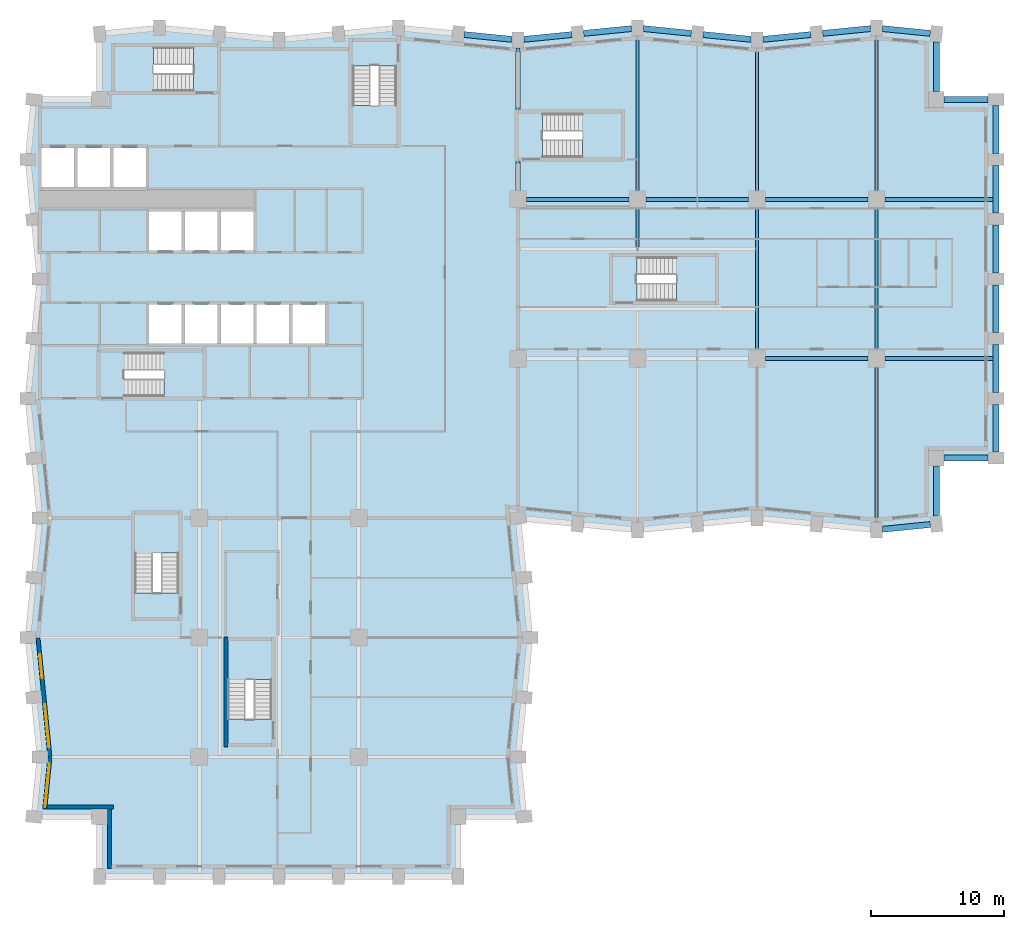
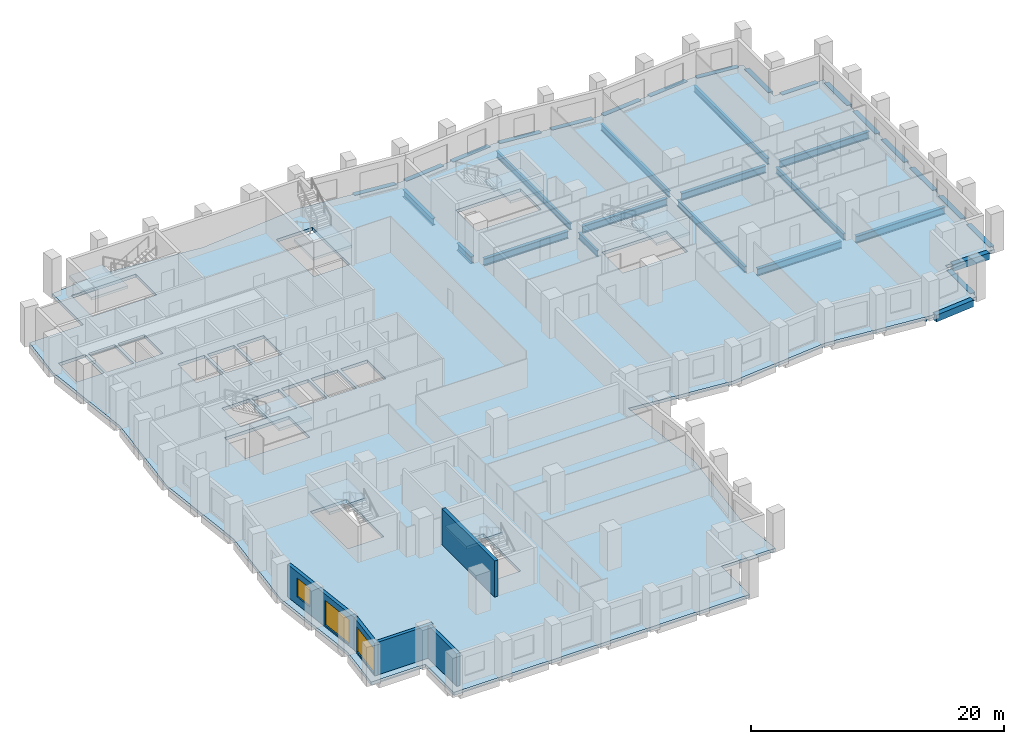
# One storey, part 2 of 11: 34 beams, 8 slabs, 5 walls, 3 windows, 3 openings, 7 elements without a shape of their own.
"""IFC4 building model written with IfcOpenShell, lengths in metres."""

from ifc_helpers import new_model, si_unit, direction, frame, frame_2d, origin, origin_2d, place, context, subcontext, project, spatial, polyline, rectangle, i_section, outline, extrude, material, layer, layer_set, material_profile, profile_set, type_object, element, fill, aggregate, save


model = new_model("IFC4")

# Units and contexts
model_context = context("Model", 3, precision=1e-05, world=origin(), true_north=direction((0.0, 1.0)))
body_context = subcontext(model_context, "Body", "Model", "MODEL_VIEW")
ifc_project = project(units=[si_unit("LENGTHUNIT", "METRE"), si_unit("AREAUNIT", "SQUARE_METRE"), si_unit("VOLUMEUNIT", "CUBIC_METRE"), si_unit("PLANEANGLEUNIT", "RADIAN"), si_unit("MASSUNIT", "GRAM", prefix="KILO")], contexts=[model_context])

# Site, building, storey
site_placement = place(None, origin())
site = spatial("IfcSite", under=ifc_project, at=site_placement, CompositionType="ELEMENT")
building_placement = place(site_placement, origin())
building = spatial("IfcBuilding", under=site, at=building_placement, Name="Brondeck Convention Tower", CompositionType="ELEMENT")
storey_placement = place(building_placement, frame((0.0, 0.0, 122.699951171875)))
storey = spatial("IfcBuildingStorey", under=building, at=storey_placement, Name="L29", CompositionType="ELEMENT", Elevation=122.699951171875)

# Beams
ifc_material_1 = material(Name="Steel S355", Category="steel")
ifc_material_profile_1 = material_profile(ifc_material_1, i_section(OverallWidth=0.219970703125, OverallDepth=0.60009765625, WebThickness=0.011962890625, FlangeThickness=0.01904296875, FilletRadius=0.02392578125, at=origin_2d()), Name="IPE 600")
ifc_profile_set_1 = profile_set([ifc_material_profile_1], Name="Steel S355")
beam_type_1 = type_object("IfcBeamType", Name="Floor beam IPE 600", PredefinedType="BEAM", material=ifc_profile_set_1)
beam_1_placement = place(storey_placement, frame((45.0, 51.64990234375, -0.599853515625), z_axis=(0.0, 1.0, 0.0), x_axis=(-1.0, 0.0, 0.0)))
element("IfcBeam", 1, at=beam_1_placement, inside=storey, type_object=beam_type_1, Name="STR-FB-L29-002", PredefinedType="BEAM", context=body_context, shape_type="SweptSolid", body=[
    extrude(i_section(OverallWidth=0.219970703125, OverallDepth=0.60009765625, WebThickness=0.011962890625, FlangeThickness=0.01904296875, FilletRadius=0.02392578125, at=origin_2d()), origin(), (0.0, 0.0, 1.0), 11.650146484375),
])
beam_2_placement = place(storey_placement, frame((54.0, 39.64990234375, -0.599853515625), z_axis=(0.0, 1.0, 0.0), x_axis=(-1.0, 0.0, 0.0)))
element("IfcBeam", 2, at=beam_2_placement, inside=storey, type_object=beam_type_1, Name="STR-FB-L29-004", PredefinedType="BEAM", context=body_context, shape_type="SweptSolid", body=[
    extrude(i_section(OverallWidth=0.219970703125, OverallDepth=0.60009765625, WebThickness=0.011962890625, FlangeThickness=0.01904296875, FilletRadius=0.02392578125, at=origin_2d()), origin(), (0.0, 0.0, 1.0), 10.7001953125),
])
beam_3_placement = place(storey_placement, frame((54.0, 51.64990234375, -0.599853515625), z_axis=(0.0, 1.0, 0.0), x_axis=(-1.0, 0.0, 0.0)))
element("IfcBeam", 3, at=beam_3_placement, inside=storey, type_object=beam_type_1, Name="STR-FB-L29-005", PredefinedType="BEAM", context=body_context, shape_type="SweptSolid", body=[
    extrude(i_section(OverallWidth=0.219970703125, OverallDepth=0.60009765625, WebThickness=0.011962890625, FlangeThickness=0.01904296875, FilletRadius=0.02392578125, at=origin_2d()), origin(), (0.0, 0.0, 1.0), 10.75),
])
beam_4_placement = place(storey_placement, frame((63.0, 26.699951171875, -0.599853515625), z_axis=(0.0, 1.0, 0.0), x_axis=(-1.0, 0.0, 0.0)))
element("IfcBeam", 4, at=beam_4_placement, inside=storey, type_object=beam_type_1, Name="STR-FB-L29-006", PredefinedType="BEAM", context=body_context, shape_type="SweptSolid", body=[
    extrude(i_section(OverallWidth=0.219970703125, OverallDepth=0.60009765625, WebThickness=0.011962890625, FlangeThickness=0.01904296875, FilletRadius=0.02392578125, at=origin_2d()), origin(), (0.0, 0.0, 1.0), 11.650146484375),
])
beam_5_placement = place(storey_placement, frame((63.0, 39.64990234375, -0.599853515625), z_axis=(0.0, 1.0, 0.0), x_axis=(-1.0, 0.0, 0.0)))
element("IfcBeam", 5, at=beam_5_placement, inside=storey, type_object=beam_type_1, Name="STR-FB-L29-007", PredefinedType="BEAM", context=body_context, shape_type="SweptSolid", body=[
    extrude(i_section(OverallWidth=0.219970703125, OverallDepth=0.60009765625, WebThickness=0.011962890625, FlangeThickness=0.01904296875, FilletRadius=0.02392578125, at=origin_2d()), origin(), (0.0, 0.0, 1.0), 10.7001953125),
])
beam_6_placement = place(storey_placement, frame((63.0, 51.64990234375, -0.599853515625), z_axis=(0.0, 1.0, 0.0), x_axis=(-1.0, 0.0, 0.0)))
element("IfcBeam", 6, at=beam_6_placement, inside=storey, type_object=beam_type_1, Name="STR-FB-L29-008", PredefinedType="BEAM", context=body_context, shape_type="SweptSolid", body=[
    extrude(i_section(OverallWidth=0.219970703125, OverallDepth=0.60009765625, WebThickness=0.011962890625, FlangeThickness=0.01904296875, FilletRadius=0.02392578125, at=origin_2d()), origin(), (0.0, 0.0, 1.0), 11.650146484375),
])
beam_7_placement = place(storey_placement, frame((45.0, 47.39990234375, -0.599853515625), z_axis=(0.0, 1.0, 0.0), x_axis=(-1.0, 0.0, 0.0)))
element("IfcBeam", 7, at=beam_7_placement, inside=storey, type_object=beam_type_1, Name="STR-FB-L29-015", PredefinedType="BEAM", context=body_context, shape_type="SweptSolid", body=[
    extrude(i_section(OverallWidth=0.219970703125, OverallDepth=0.60009765625, WebThickness=0.011962890625, FlangeThickness=0.01904296875, FilletRadius=0.02392578125, at=origin_2d()), origin(), (0.0, 0.0, 1.0), 2.9501953125),
])
ifc_material_profile_2 = material_profile(ifc_material_1, i_section(OverallWidth=0.300048828125, OverallDepth=0.699951171875, WebThickness=0.01708984375, FlangeThickness=0.031982421875, FilletRadius=0.027099609375, at=origin_2d()), Name="HEB 700")
ifc_profile_set_2 = profile_set([ifc_material_profile_2], Name="Steel S355")
beam_type_2 = type_object("IfcBeamType", Name="Girder HEB 700", PredefinedType="BEAM", material=ifc_profile_set_2)
beam_8_placement = place(storey_placement, frame((54.64990234375, 39.0, -0.64990234375), z_axis=(1.0, 0.0, 0.0), x_axis=(0.0, 1.0, 0.0)))
element("IfcBeam", 8, at=beam_8_placement, inside=storey, type_object=beam_type_2, Name="STR-GR-L29-003", PredefinedType="BEAM", context=body_context, shape_type="SweptSolid", body=[
    extrude(i_section(OverallWidth=0.300048828125, OverallDepth=0.699951171875, WebThickness=0.01708984375, FlangeThickness=0.031982421875, FilletRadius=0.027099609375, at=origin_2d()), origin(), (0.0, 0.0, 1.0), 7.7001953125),
])
beam_9_placement = place(storey_placement, frame((63.64990234375, 39.0, -0.64990234375), z_axis=(1.0, 0.0, 0.0), x_axis=(0.0, 1.0, 0.0)))
element("IfcBeam", 9, at=beam_9_placement, inside=storey, type_object=beam_type_2, Name="STR-GR-L29-004", PredefinedType="BEAM", context=body_context, shape_type="SweptSolid", body=[
    extrude(i_section(OverallWidth=0.300048828125, OverallDepth=0.699951171875, WebThickness=0.01708984375, FlangeThickness=0.031982421875, FilletRadius=0.027099609375, at=origin_2d()), origin(), (0.0, 0.0, 1.0), 8.125),
])
for number, where, z_axis, x_axis, name in (
    (10, (36.64990234375, 51.0, -0.64990234375), (1.0, 0.0, 0.0), (0.0, 1.0, 0.0), "STR-GR-L29-005"),
    (11, (45.64990234375, 51.0, -0.64990234375), (1.0, 0.0, 0.0), (0.0, 1.0, 0.0), "STR-GR-L29-006"),
    (12, (54.64990234375, 51.0, -0.64990234375), (1.0, 0.0, 0.0), (0.0, 1.0, 0.0), "STR-GR-L29-007"),
):
    element("IfcBeam", number, at=place(storey_placement, frame(where, z_axis=z_axis, x_axis=x_axis)), inside=storey, type_object=beam_type_2, Name=name, PredefinedType="BEAM", context=body_context, shape_type="SweptSolid", body=[
        extrude(i_section(OverallWidth=0.300048828125, OverallDepth=0.699951171875, WebThickness=0.01708984375, FlangeThickness=0.031982421875, FilletRadius=0.027099609375, at=origin_2d()), origin(), (0.0, 0.0, 1.0), 7.7001953125),
    ])
beam_10_placement = place(storey_placement, frame((63.64990234375, 51.0, -0.64990234375), z_axis=(1.0, 0.0, 0.0), x_axis=(0.0, 1.0, 0.0)))
element("IfcBeam", 13, at=beam_10_placement, inside=storey, type_object=beam_type_2, Name="STR-GR-L29-008", PredefinedType="BEAM", context=body_context, shape_type="SweptSolid", body=[
    extrude(i_section(OverallWidth=0.300048828125, OverallDepth=0.699951171875, WebThickness=0.01708984375, FlangeThickness=0.031982421875, FilletRadius=0.027099609375, at=origin_2d()), origin(), (0.0, 0.0, 1.0), 8.125),
])
beam_11_placement = place(storey_placement, frame((36.0, 51.64990234375, -0.64990234375), z_axis=(0.0, 1.0, 0.0), x_axis=(-1.0, 0.0, 0.0)))
element("IfcBeam", 14, at=beam_11_placement, inside=storey, type_object=beam_type_2, Name="STR-GR-L29-011", PredefinedType="BEAM", context=body_context, shape_type="SweptSolid", body=[
    extrude(i_section(OverallWidth=0.300048828125, OverallDepth=0.699951171875, WebThickness=0.01708984375, FlangeThickness=0.031982421875, FilletRadius=0.027099609375, at=origin_2d()), origin(), (0.0, 0.0, 1.0), 2.22998046875),
])
beam_12_placement = place(storey_placement, frame((36.0, 57.719970703125, -0.64990234375), z_axis=(0.0, 1.0, 0.0), x_axis=(-1.0, 0.0, 0.0)))
element("IfcBeam", 15, at=beam_12_placement, inside=storey, type_object=beam_type_2, Name="STR-GR-L29-012", PredefinedType="BEAM", context=body_context, shape_type="SweptSolid", body=[
    extrude(i_section(OverallWidth=0.300048828125, OverallDepth=0.699951171875, WebThickness=0.01708984375, FlangeThickness=0.031982421875, FilletRadius=0.027099609375, at=origin_2d()), origin(), (0.0, 0.0, 1.0), 4.679931640625),
])
ifc_material_2 = material(Name="Concrete C70/85", Category="concrete")
ifc_material_profile_3 = material_profile(ifc_material_2, rectangle(XDim=0.449951171875, YDim=0.64990234375, at=origin_2d()), Name="Precast spandrel 450x650 Concrete C70/85")
ifc_profile_set_3 = profile_set([ifc_material_profile_3], Name="Concrete C70/85")
beam_type_3 = type_object("IfcBeamType", Name="Precast spandrel 450x650 Concrete C70/85", PredefinedType="SPANDREL", material=ifc_profile_set_3)
beam_13_placement = place(storey_placement, frame((63.449951171875, 26.14501953125, -0.324951171875), z_axis=(0.995040528141, 0.099470334057, 0.0), x_axis=(-0.099470334057, 0.995040528141, 0.0)))
element("IfcBeam", 16, at=beam_13_placement, inside=storey, type_object=beam_type_3, Name="STR-SP-L29-020", PredefinedType="SPANDREL", context=body_context, shape_type="SweptSolid", body=[
    extrude(rectangle(XDim=0.449951171875, YDim=0.64990234375, at=origin_2d()), origin(), (0.0, 0.0, 1.0), 3.620361328125),
])
beam_14_placement = place(storey_placement, frame((67.5, 27.153076171875, -0.324951171875), z_axis=(0.0, 1.0, 0.0), x_axis=(-1.0, 0.0, 0.0)))
element("IfcBeam", 17, at=beam_14_placement, inside=storey, type_object=beam_type_3, Name="STR-SP-L29-021", PredefinedType="SPANDREL", context=body_context, shape_type="SweptSolid", body=[
    extrude(rectangle(XDim=0.449951171875, YDim=0.64990234375, at=origin_2d()), origin(), (0.0, 0.0, 1.0), 3.746826171875),
])
beam_15_placement = place(storey_placement, frame((68.10009765625, 31.5, -0.324951171875), z_axis=(1.0, 0.0, 0.0), x_axis=(0.0, 1.0, 0.0)))
element("IfcBeam", 18, at=beam_15_placement, inside=storey, type_object=beam_type_3, Name="STR-SP-L29-022", PredefinedType="SPANDREL", context=body_context, shape_type="SweptSolid", body=[
    extrude(rectangle(XDim=0.449951171875, YDim=0.64990234375, at=origin_2d()), origin(), (0.0, 0.0, 1.0), 3.2998046875),
])
for number, where, z_axis, x_axis, name in (
    (19, (72.0, 31.949951171875, -0.324951171875), (0.0, 1.0, 0.0), (-1.0, 0.0, 0.0), "STR-SP-L29-023"),
    (20, (72.0, 36.449951171875, -0.324951171875), (0.0, 1.0, 0.0), (-1.0, 0.0, 0.0), "STR-SP-L29-024"),
    (21, (72.0, 40.949951171875, -0.324951171875), (0.0, 1.0, 0.0), (-1.0, 0.0, 0.0), "STR-SP-L29-025"),
    (22, (72.0, 45.449951171875, -0.324951171875), (0.0, 1.0, 0.0), (-1.0, 0.0, 0.0), "STR-SP-L29-026"),
    (23, (72.0, 49.949951171875, -0.324951171875), (0.0, 1.0, 0.0), (-1.0, 0.0, 0.0), "STR-SP-L29-027"),
    (24, (72.0, 54.449951171875, -0.324951171875), (0.0, 1.0, 0.0), (-1.0, 0.0, 0.0), "STR-SP-L29-028"),
):
    element("IfcBeam", number, at=place(storey_placement, frame(where, z_axis=z_axis, x_axis=x_axis)), inside=storey, type_object=beam_type_3, Name=name, PredefinedType="SPANDREL", context=body_context, shape_type="SweptSolid", body=[
        extrude(rectangle(XDim=0.449951171875, YDim=0.64990234375, at=origin_2d()), origin(), (0.0, 0.0, 1.0), 3.60009765625),
    ])
beam_16_placement = place(storey_placement, frame((71.39990234375, 58.5, -0.324951171875), z_axis=(-1.0, 0.0, 0.0), x_axis=(0.0, -1.0, 0.0)))
element("IfcBeam", 25, at=beam_16_placement, inside=storey, type_object=beam_type_3, Name="STR-SP-L29-029", PredefinedType="SPANDREL", context=body_context, shape_type="SweptSolid", body=[
    extrude(rectangle(XDim=0.449951171875, YDim=0.64990234375, at=origin_2d()), origin(), (0.0, 0.0, 1.0), 3.2998046875),
])
beam_17_placement = place(storey_placement, frame((67.5, 59.10009765625, -0.324951171875), z_axis=(0.0, 1.0, 0.0), x_axis=(-1.0, 0.0, 0.0)))
element("IfcBeam", 26, at=beam_17_placement, inside=storey, type_object=beam_type_3, Name="STR-SP-L29-030", PredefinedType="SPANDREL", context=body_context, shape_type="SweptSolid", body=[
    extrude(rectangle(XDim=0.449951171875, YDim=0.64990234375, at=origin_2d()), origin(), (0.0, 0.0, 1.0), 3.746826171875),
])
for number, where, z_axis, x_axis, name in (
    (27, (67.05224609375, 63.494873046875, -0.324951171875), (-0.995040528141, 0.099470334057, 0.0), (-0.099470334057, -0.995040528141, 0.0), "STR-SP-L29-031"),
    (28, (62.550048828125, 63.85498046875, -0.324951171875), (-0.995040528141, -0.099470334057, 0.0), (0.099470334057, -0.995040528141, 0.0), "STR-SP-L29-032"),
    (29, (58.05224609375, 63.4052734375, -0.324951171875), (-0.995033851182, -0.099537103649, 0.0), (0.099537103649, -0.995033851182, 0.0), "STR-SP-L29-033"),
    (30, (53.550048828125, 63.044921875, -0.324951171875), (-0.995033851182, 0.099537103649, 0.0), (-0.099537103649, -0.995033851182, 0.0), "STR-SP-L29-034"),
    (31, (49.05224609375, 63.494873046875, -0.324951171875), (-0.995040528141, 0.099470334057, 0.0), (-0.099470334057, -0.995040528141, 0.0), "STR-SP-L29-035"),
    (32, (44.550048828125, 63.85498046875, -0.324951171875), (-0.995040528141, -0.099470334057, 0.0), (0.099470334057, -0.995040528141, 0.0), "STR-SP-L29-036"),
    (33, (40.05224609375, 63.4052734375, -0.324951171875), (-0.995033851182, -0.099537103649, 0.0), (0.099537103649, -0.995033851182, 0.0), "STR-SP-L29-037"),
    (34, (35.550048828125, 63.044921875, -0.324951171875), (-0.995033851182, 0.099537103649, 0.0), (-0.099537103649, -0.995033851182, 0.0), "STR-SP-L29-038"),
):
    element("IfcBeam", number, at=place(storey_placement, frame(where, z_axis=z_axis, x_axis=x_axis)), inside=storey, type_object=beam_type_3, Name=name, PredefinedType="SPANDREL", context=body_context, shape_type="SweptSolid", body=[
        extrude(rectangle(XDim=0.449951171875, YDim=0.64990234375, at=origin_2d()), origin(), (0.0, 0.0, 1.0), 3.620361328125),
    ])

# Slab
ifc_material_3 = material(Name="Concrete C35/45", Category="concrete")
ifc_layer_1 = layer(ifc_material_3, 0.300048828125)
ifc_layer_set_1 = layer_set([ifc_layer_1], Name="Composite floor slab 300")
slab_type_1 = type_object("IfcSlabType", Name="Composite floor slab 300", PredefinedType="FLOOR", material=ifc_layer_set_1)
slab_1_placement = place(storey_placement, frame((0.0, 0.0, -0.300048828125)))
element("IfcSlab", 35, at=slab_1_placement, inside=storey, type_object=slab_type_1, Name="STR-SL-L29", PredefinedType="FLOOR", context=body_context, shape_type="SweptSolid", body=[
    extrude(outline(polyline([(4.5, 4.5), (-0.449951171875, 4.5), (0.0, 9.0), (-0.89990234375, 18.0), (0.0, 27.0), (-0.89990234375, 36.0), (0.0, 45.0), (-0.89990234375, 54.0), (-0.449951171875, 58.5), (4.5, 58.5), (4.5, 63.449951171875), (9.0, 63.89990234375), (18.0, 63.0), (27.0, 63.89990234375), (36.0, 63.0), (45.0, 63.89990234375), (54.0, 63.0), (63.0, 63.89990234375), (67.5, 63.449951171875), (67.5, 58.5), (72.0, 58.5), (72.0, 31.5), (67.5, 31.5), (67.5, 26.550048828125), (63.0, 26.10009765625), (54.0, 27.0), (45.0, 26.10009765625), (36.0, 27.0), (36.89990234375, 18.0), (36.0, 9.0), (36.449951171875, 4.5), (31.5, 4.5), (31.5, 0.0), (4.5, 0.0), (4.5, 4.5)]), holes=[polyline([(10.447998046875, 27.248046875), (7.152099609375, 27.248046875), (7.152099609375, 21.35205078125), (10.447998046875, 21.35205078125), (10.447998046875, 27.248046875)]), polyline([(12.248046875, 36.152099609375), (12.248046875, 39.447998046875), (6.35205078125, 39.447998046875), (6.35205078125, 36.152099609375), (12.248046875, 36.152099609375)]), polyline([(10.675048828125, 40.125), (10.675048828125, 43.074951171875), (8.22509765625, 43.074951171875), (8.22509765625, 40.125), (10.675048828125, 40.125)]), polyline([(10.675048828125, 47.125), (10.675048828125, 50.074951171875), (8.22509765625, 50.074951171875), (8.22509765625, 47.125), (10.675048828125, 47.125)]), polyline([(13.375, 47.125), (13.375, 50.074951171875), (10.925048828125, 50.074951171875), (10.925048828125, 47.125), (13.375, 47.125)]), polyline([(2.574951171875, 51.925048828125), (2.574951171875, 54.875), (0.125, 54.875), (0.125, 51.925048828125), (2.574951171875, 51.925048828125)]), polyline([(5.27490234375, 51.925048828125), (5.27490234375, 54.875), (2.824951171875, 54.875), (2.824951171875, 51.925048828125), (5.27490234375, 51.925048828125)]), polyline([(5.52490234375, 51.925048828125), (7.97509765625, 51.925048828125), (7.97509765625, 54.875), (5.52490234375, 54.875), (5.52490234375, 51.925048828125)]), polyline([(11.548095703125, 62.447998046875), (5.652099609375, 62.447998046875), (5.652099609375, 59.152099609375), (11.548095703125, 59.152099609375), (11.548095703125, 62.447998046875)]), polyline([(17.447998046875, 17.748046875), (14.152099609375, 17.748046875), (14.152099609375, 11.85205078125), (17.447998046875, 11.85205078125), (17.447998046875, 17.748046875)]), polyline([(13.375, 40.125), (13.375, 43.074951171875), (10.925048828125, 43.074951171875), (10.925048828125, 40.125), (13.375, 40.125)]), polyline([(16.074951171875, 40.125), (16.074951171875, 43.074951171875), (13.625, 43.074951171875), (13.625, 40.125), (16.074951171875, 40.125)]), polyline([(18.77490234375, 40.125), (18.77490234375, 43.074951171875), (16.324951171875, 43.074951171875), (16.324951171875, 40.125), (18.77490234375, 40.125)]), polyline([(21.47509765625, 40.125), (21.47509765625, 43.074951171875), (19.02490234375, 43.074951171875), (19.02490234375, 40.125), (21.47509765625, 40.125)]), polyline([(50.847900390625, 43.35205078125), (50.847900390625, 46.64794921875), (44.951904296875, 46.64794921875), (44.951904296875, 43.35205078125), (50.847900390625, 43.35205078125)]), polyline([(16.074951171875, 47.125), (16.074951171875, 50.074951171875), (13.625, 50.074951171875), (13.625, 47.125), (16.074951171875, 47.125)]), polyline([(37.85205078125, 54.152099609375), (43.748046875, 54.152099609375), (43.748046875, 57.447998046875), (37.85205078125, 57.447998046875), (37.85205078125, 54.152099609375)]), polyline([(23.552001953125, 61.048095703125), (23.552001953125, 55.152099609375), (26.847900390625, 55.152099609375), (26.847900390625, 61.048095703125), (23.552001953125, 61.048095703125)])]), origin(), (0.0, 0.0, 1.0), 0.300048828125),
])

# Stair, slab
ifc_material_4 = material(Name="Precast concrete C50/60", Category="concrete")
stair_type = type_object("IfcStairType", Name="Core stair 22 risers 172.73 mm riser 300 mm going 1350 wide", PredefinedType="HALF_TURN_STAIR", material=ifc_material_4)
stair_1_placement = place(storey_placement, origin())
stair_1 = element("IfcStair", 36, at=stair_1_placement, inside=storey, type_object=stair_type, Name="ST-1 L29 stair", PredefinedType="HALF_TURN_STAIR")
ifc_layer_2 = layer(ifc_material_4, 0.25)
ifc_layer_set_2 = layer_set([ifc_layer_2], Name="Core stair landing 250 Precast concrete C50/60")
slab_type_2 = type_object("IfcSlabType", Name="Core stair landing 250 Precast concrete C50/60", PredefinedType="LANDING", material=ifc_layer_set_2)
slab_2_placement = place(storey_placement, frame((0.0, 0.0, 1.650146484375)))
slab_2 = element("IfcSlab", 37, at=slab_2_placement, type_object=slab_type_2, Name="ST-1 landing 1", PredefinedType="LANDING", context=body_context, shape_type="SweptSolid", body=[
    extrude(outline(polyline([(9.347900390625, 37.5), (9.35009765625, 37.5), (9.35009765625, 38.10009765625), (9.050048828125, 38.10009765625), (9.050048828125, 39.570068359375), (12.3701171875, 39.570068359375), (12.3701171875, 36.030029296875), (9.347900390625, 36.030029296875), (9.347900390625, 37.5)])), origin(), (0.0, 0.0, 1.0), 0.25),
])
aggregate(stair_1, [slab_2])

stair_2_placement = place(storey_placement, origin())
stair_2 = element("IfcStair", 38, at=stair_2_placement, inside=storey, type_object=stair_type, Name="ST-2 L29 stair", PredefinedType="HALF_TURN_STAIR")
slab_3_placement = place(storey_placement, frame((0.0, 0.0, 1.650146484375)))
slab_3 = element("IfcSlab", 39, at=slab_3_placement, type_object=slab_type_2, Name="ST-2 landing 1", PredefinedType="LANDING", context=body_context, shape_type="SweptSolid", body=[
    extrude(outline(polyline([(23.429931640625, 58.052001953125), (24.89990234375, 58.052001953125), (24.89990234375, 58.050048828125), (25.5, 58.050048828125), (25.5, 58.35009765625), (26.969970703125, 58.35009765625), (26.969970703125, 55.030029296875), (23.429931640625, 55.030029296875), (23.429931640625, 58.052001953125)])), origin(), (0.0, 0.0, 1.0), 0.25),
])
aggregate(stair_2, [slab_3])

stair_3_placement = place(storey_placement, origin())
stair_3 = element("IfcStair", 40, at=stair_3_placement, inside=storey, type_object=stair_type, Name="ST-3 L29 stair", PredefinedType="HALF_TURN_STAIR")
slab_4_placement = place(storey_placement, frame((0.0, 0.0, 1.650146484375)))
slab_4 = element("IfcSlab", 41, at=slab_4_placement, type_object=slab_type_2, Name="ST-3 landing 1", PredefinedType="LANDING", context=body_context, shape_type="SweptSolid", body=[
    extrude(outline(polyline([(8.85009765625, 60.5), (8.85009765625, 59.030029296875), (5.530029296875, 59.030029296875), (5.530029296875, 62.570068359375), (8.552001953125, 62.570068359375), (8.552001953125, 61.10009765625), (8.550048828125, 61.10009765625), (8.550048828125, 60.5), (8.85009765625, 60.5)])), origin(), (0.0, 0.0, 1.0), 0.25),
])
aggregate(stair_3, [slab_4])

stair_4_placement = place(storey_placement, origin())
stair_4 = element("IfcStair", 42, at=stair_4_placement, inside=storey, type_object=stair_type, Name="ST-AE L29 stair", PredefinedType="HALF_TURN_STAIR")
slab_5_placement = place(storey_placement, frame((0.0, 0.0, 1.650146484375)))
slab_5 = element("IfcSlab", 43, at=slab_5_placement, type_object=slab_type_2, Name="ST-AE landing 1", PredefinedType="LANDING", context=body_context, shape_type="SweptSolid", body=[
    extrude(outline(polyline([(40.847900390625, 55.5), (40.85009765625, 55.5), (40.85009765625, 56.10009765625), (40.550048828125, 56.10009765625), (40.550048828125, 57.570068359375), (43.8701171875, 57.570068359375), (43.8701171875, 54.030029296875), (40.847900390625, 54.030029296875), (40.847900390625, 55.5)])), origin(), (0.0, 0.0, 1.0), 0.25),
])
aggregate(stair_4, [slab_5])

stair_5_placement = place(storey_placement, origin())
stair_5 = element("IfcStair", 44, at=stair_5_placement, inside=storey, type_object=stair_type, Name="ST-BE L29 stair", PredefinedType="HALF_TURN_STAIR")
slab_6_placement = place(storey_placement, frame((0.0, 0.0, 1.650146484375)))
slab_6 = element("IfcSlab", 45, at=slab_6_placement, type_object=slab_type_2, Name="ST-BE landing 1", PredefinedType="LANDING", context=body_context, shape_type="SweptSolid", body=[
    extrude(outline(polyline([(7.030029296875, 24.050048828125), (7.030029296875, 27.3701171875), (10.570068359375, 27.3701171875), (10.570068359375, 24.347900390625), (9.10009765625, 24.347900390625), (9.10009765625, 24.35009765625), (8.5, 24.35009765625), (8.5, 24.050048828125), (7.030029296875, 24.050048828125)])), origin(), (0.0, 0.0, 1.0), 0.25),
])
aggregate(stair_5, [slab_6])

stair_6_placement = place(storey_placement, origin())
stair_6 = element("IfcStair", 46, at=stair_6_placement, inside=storey, type_object=stair_type, Name="ST-AF L29 stair", PredefinedType="HALF_TURN_STAIR")
slab_7_placement = place(storey_placement, frame((0.0, 0.0, 1.650146484375)))
slab_7 = element("IfcSlab", 47, at=slab_7_placement, type_object=slab_type_2, Name="ST-AF landing 1", PredefinedType="LANDING", context=body_context, shape_type="SweptSolid", body=[
    extrude(outline(polyline([(47.947998046875, 44.699951171875), (47.949951171875, 44.699951171875), (47.949951171875, 45.300048828125), (47.64990234375, 45.300048828125), (47.64990234375, 46.77001953125), (50.969970703125, 46.77001953125), (50.969970703125, 43.22998046875), (47.947998046875, 43.22998046875), (47.947998046875, 44.699951171875)])), origin(), (0.0, 0.0, 1.0), 0.25),
])
aggregate(stair_6, [slab_7])

stair_7_placement = place(storey_placement, origin())
stair_7 = element("IfcStair", 48, at=stair_7_placement, inside=storey, type_object=stair_type, Name="ST-BF L29 stair", PredefinedType="HALF_TURN_STAIR")
slab_8_placement = place(storey_placement, frame((0.0, 0.0, 1.650146484375)))
slab_8 = element("IfcSlab", 49, at=slab_8_placement, type_object=slab_type_2, Name="ST-BF landing 1", PredefinedType="LANDING", context=body_context, shape_type="SweptSolid", body=[
    extrude(outline(polyline([(14.030029296875, 14.550048828125), (14.030029296875, 17.8701171875), (17.570068359375, 17.8701171875), (17.570068359375, 14.847900390625), (16.10009765625, 14.847900390625), (16.10009765625, 14.85009765625), (15.5, 14.85009765625), (15.5, 14.550048828125), (14.030029296875, 14.550048828125)])), origin(), (0.0, 0.0, 1.0), 0.25),
])
aggregate(stair_7, [slab_8])

# Wall, openings, windows
ifc_material_5 = material(Name="Precast concrete C50/60 bronze finish", Category="concrete")
ifc_layer_3 = layer(ifc_material_5, 0.070068359375, Name="Bronze precast facing")
ifc_material_6 = material(Name="Mineral wool")
ifc_layer_4 = layer(ifc_material_6, 0.159912109375, Name="Insulation")
ifc_layer_5 = layer(ifc_material_3, 0.070068359375, Name="Backing")
ifc_layer_set_3 = layer_set([ifc_layer_3, ifc_layer_4, ifc_layer_5], Name="External infill wall, precast concrete C50/60 bronze facing")
wall_type_1 = type_object("IfcWallType", Name="External infill wall, precast concrete C50/60 bronze facing", PredefinedType="SOLIDWALL", material=ifc_layer_set_3)
wall_1_placement = place(storey_placement, frame((0.755126953125, 8.985107421875, 0.0), z_axis=(0.0, 0.0, 1.0), x_axis=(-0.099495688264, 0.995037993253, 0.0)))
wall_1 = element("IfcWall", 50, at=wall_1_placement, inside=storey, type_object=wall_type_1, Name="ENV-EW-L29-P0-B-W-10", PredefinedType="SOLIDWALL", context=body_context, shape_type="SweptSolid", body=[
    extrude(rectangle(XDim=9.030029296875, YDim=0.300048828125, at=frame_2d((4.51513671875, 0.0))), origin(), (0.0, 0.0, 1.0), 3.150146484375),
])
opening_1_placement = place(wall_1_placement, frame((0.701171875, 0.0, 0.14990234375)))
opening_1 = element("IfcOpeningElement", 51, at=opening_1_placement, cuts=wall_1, Name="Opening W9", PredefinedType="OPENING", context=body_context, shape_type="SweptSolid", body=[
    extrude(rectangle(XDim=3.300048828125, YDim=2.39990234375, at=frame_2d((1.64990234375, 1.199951171875))), frame((0.0, 0.159912109375, 0.0), z_axis=(0.0, -1.0, 0.0), x_axis=(1.0, 0.0, 0.0)), (0.0, 0.0, 1.0), 0.320068359375),
])
opening_2_placement = place(wall_1_placement, frame((5.9736328125, 0.0, 0.75)))
opening_2 = element("IfcOpeningElement", 52, at=opening_2_placement, cuts=wall_1, Name="Opening W10", PredefinedType="OPENING", context=body_context, shape_type="SweptSolid", body=[
    extrude(rectangle(XDim=1.800048828125, YDim=1.800048828125, at=frame_2d((0.89990234375, 0.89990234375))), frame((0.0, 0.159912109375, 0.0), z_axis=(0.0, -1.0, 0.0), x_axis=(1.0, 0.0, 0.0)), (0.0, 0.0, 1.0), 0.320068359375),
])
ifc_material_7 = material(Name="Bronze tinted double glazing", Category="glass")
window_type_1 = type_object("IfcWindowType", Name="Glazed flute window, bronze tinted", PartitioningType="SINGLE_PANEL", PredefinedType="WINDOW", material=ifc_material_7)
window_1_placement = place(opening_1_placement, origin())
window_1 = element("IfcWindow", 53, at=window_1_placement, inside=storey, type_object=window_type_1, Name="ENV-WN-L29-P0-B-W-11", OverallHeight=2.39990234375, OverallWidth=3.300048828125, PartitioningType="SINGLE_PANEL", PredefinedType="WINDOW", context=body_context, shape_type="SweptSolid", body=[
    extrude(rectangle(XDim=3.300048828125, YDim=2.39990234375, at=frame_2d((1.64990234375, 1.199951171875))), frame((0.0, 0.030029296875, 0.0), z_axis=(0.0, -1.0, 0.0), x_axis=(1.0, 0.0, 0.0)), (0.0, 0.0, 1.0), 0.06005859375),
])
fill(opening_1, window_1)
window_type_2 = type_object("IfcWindowType", Name="Punched window, bronze tinted", PartitioningType="SINGLE_PANEL", PredefinedType="WINDOW", material=ifc_material_7)
window_2_placement = place(opening_2_placement, origin())
window_2 = element("IfcWindow", 54, at=window_2_placement, inside=storey, type_object=window_type_2, Name="ENV-WN-L29-P0-B-W-10", OverallHeight=1.800048828125, OverallWidth=1.800048828125, PartitioningType="SINGLE_PANEL", PredefinedType="WINDOW", context=body_context, shape_type="SweptSolid", body=[
    extrude(rectangle(XDim=1.800048828125, YDim=1.800048828125, at=frame_2d((0.89990234375, 0.89990234375))), frame((0.0, 0.030029296875, 0.0), z_axis=(0.0, -1.0, 0.0), x_axis=(1.0, 0.0, 0.0)), (0.0, 0.0, 1.0), 0.06005859375),
])
fill(opening_2, window_2)

# Wall, opening, window
wall_2_placement = place(storey_placement, frame((0.3623046875, 5.085205078125, 0.0), z_axis=(0.0, 0.0, 1.0), x_axis=(0.099485145752, 0.995039047362, 0.0)))
wall_2 = element("IfcWall", 55, at=wall_2_placement, inside=storey, type_object=wall_type_1, Name="ENV-EW-L29-P0-B-W-12", PredefinedType="SOLIDWALL", context=body_context, shape_type="SweptSolid", body=[
    extrude(rectangle(XDim=3.904296875, YDim=0.300048828125, at=frame_2d((1.9521484375, 0.0))), origin(), (0.0, 0.0, 1.0), 3.150146484375),
])
opening_3_placement = place(wall_2_placement, frame((0.14990234375, 0.0, 0.14990234375)))
opening_3 = element("IfcOpeningElement", 56, at=opening_3_placement, cuts=wall_2, Name="Opening W9", PredefinedType="OPENING", context=body_context, shape_type="SweptSolid", body=[
    extrude(rectangle(XDim=3.300048828125, YDim=2.39990234375, at=frame_2d((1.64990234375, 1.199951171875))), frame((0.0, 0.159912109375, 0.0), z_axis=(0.0, -1.0, 0.0), x_axis=(1.0, 0.0, 0.0)), (0.0, 0.0, 1.0), 0.320068359375),
])
window_3_placement = place(opening_3_placement, origin())
window_3 = element("IfcWindow", 57, at=window_3_placement, inside=storey, type_object=window_type_1, Name="ENV-WN-L29-P0-B-W-12", OverallHeight=2.39990234375, OverallWidth=3.300048828125, PartitioningType="SINGLE_PANEL", PredefinedType="WINDOW", context=body_context, shape_type="SweptSolid", body=[
    extrude(rectangle(XDim=3.300048828125, YDim=2.39990234375, at=frame_2d((1.64990234375, 1.199951171875))), frame((0.0, 0.030029296875, 0.0), z_axis=(0.0, -1.0, 0.0), x_axis=(1.0, 0.0, 0.0)), (0.0, 0.0, 1.0), 0.06005859375),
])
fill(opening_3, window_3)

# Walls
wall_3_placement = place(storey_placement, frame((5.550048828125, 5.25, 0.0), z_axis=(0.0, 0.0, 1.0), x_axis=(-1.0, 0.0, 0.0)))
element("IfcWall", 58, at=wall_3_placement, inside=storey, type_object=wall_type_1, Name="ENV-EW-L29-P0-NC-SWB0-01", PredefinedType="SOLIDWALL", context=body_context, shape_type="SweptSolid", body=[
    extrude(rectangle(XDim=5.015380859375, YDim=0.300048828125, at=frame_2d((2.5078125, 0.0))), origin(), (0.0, 0.0, 1.0), 3.150146484375),
])
wall_4_placement = place(storey_placement, frame((5.25, 0.60009765625, 0.0), z_axis=(0.0, 0.0, 1.0), x_axis=(0.0, 1.0, 0.0)))
element("IfcWall", 59, at=wall_4_placement, inside=storey, type_object=wall_type_1, Name="ENV-EW-L29-P0-NC-SWB0-02", PredefinedType="SOLIDWALL", context=body_context, shape_type="SweptSolid", body=[
    extrude(rectangle(XDim=4.5, YDim=0.300048828125, at=frame_2d((2.25, 0.0))), origin(), (0.0, 0.0, 1.0), 3.150146484375),
])
ifc_layer_6 = layer(ifc_material_2, 0.300048828125)
ifc_layer_set_4 = layer_set([ifc_layer_6], Name="Stair enclosure wall 300 Concrete C70/85")
wall_type_2 = type_object("IfcWallType", Name="Stair enclosure wall 300 Concrete C70/85", PredefinedType="SHEAR", material=ifc_layer_set_4)
wall_5_placement = place(storey_placement, frame((14.0, 9.75, 0.0), z_axis=(0.0, 0.0, 1.0), x_axis=(0.0, 1.0, 0.0)))
element("IfcWall", 60, at=wall_5_placement, inside=storey, type_object=wall_type_2, Name="L29 core wall", PredefinedType="SHEAR", context=body_context, shape_type="SweptSolid", body=[
    extrude(rectangle(XDim=8.300048828125, YDim=0.300048828125, at=frame_2d((4.14990234375, 0.0))), origin(), (0.0, 0.0, 1.0), 3.5),
])

save(model, "model.ifc")
